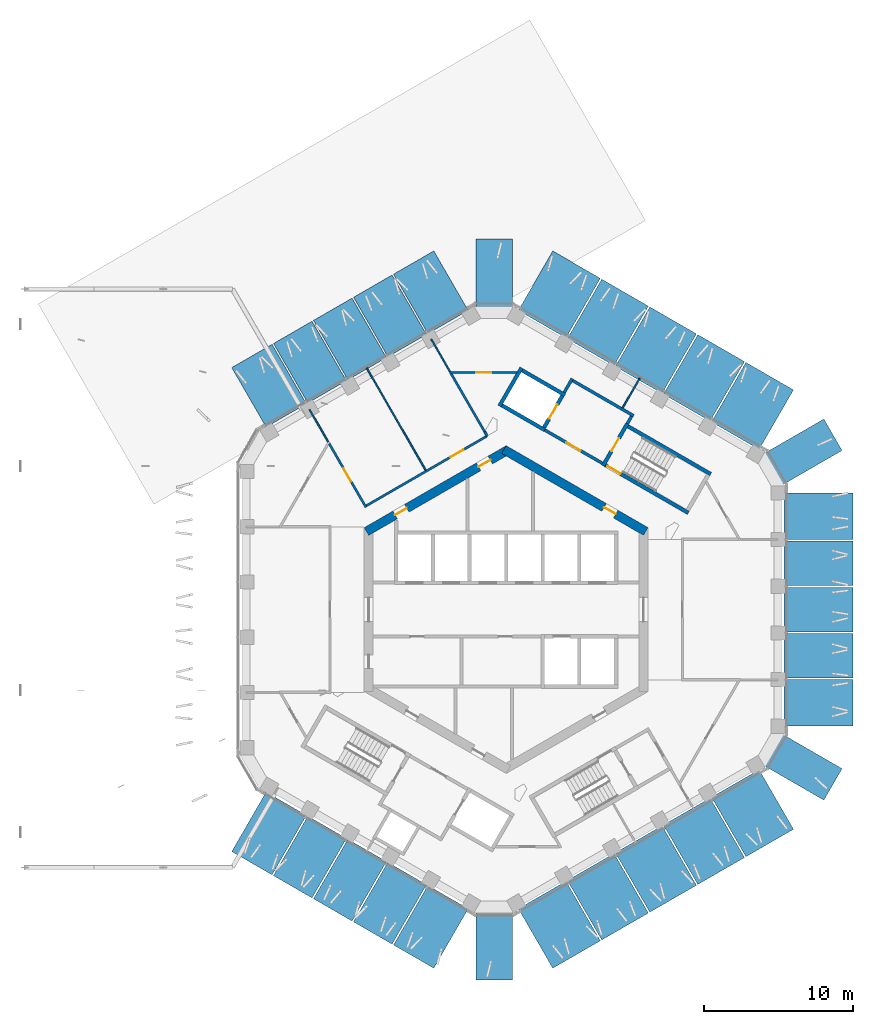
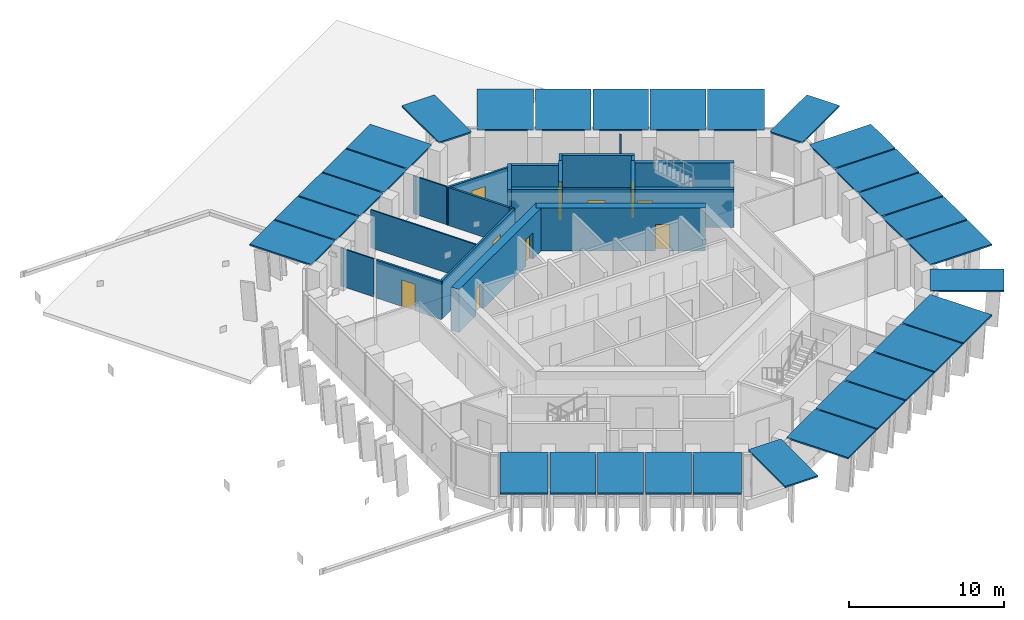
# One storey, part 15 of 23: 29 discrete accessories, 22 walls, 10 doors, 10 openings.
"""IFC4 building model written with IfcOpenShell, lengths in metres."""

from ifc_helpers import new_model, si_unit, direction, frame, frame_2d, origin, origin_2d, place, context, subcontext, project, spatial, rectangle, extrude, material, layer, layer_set, type_object, element, fill, save


model = new_model("IFC4")

# Units and contexts
model_context = context("Model", 3, precision=1e-05, world=origin(), true_north=direction((0.0, 1.0)))
body_context = subcontext(model_context, "Body", "Model", "MODEL_VIEW")
ifc_project = project(units=[si_unit("LENGTHUNIT", "METRE"), si_unit("AREAUNIT", "SQUARE_METRE"), si_unit("VOLUMEUNIT", "CUBIC_METRE"), si_unit("PLANEANGLEUNIT", "RADIAN"), si_unit("MASSUNIT", "GRAM", prefix="KILO")], contexts=[model_context])

# Site, building, storey
site_placement = place(None, origin())
site = spatial("IfcSite", under=ifc_project, at=site_placement, CompositionType="ELEMENT")
building_placement = place(site_placement, origin())
building = spatial("IfcBuilding", under=site, at=building_placement, Name="Ayvan Gate Tower", CompositionType="ELEMENT")
storey_placement = place(building_placement, frame((0.0, 0.0, 198.699951171875)))
storey = spatial("IfcBuildingStorey", under=building, at=storey_placement, Name="L53", CompositionType="ELEMENT", Elevation=198.699951171875)

# Wall, opening, door
ifc_material_1 = material(Name="Concrete C60/75", Category="concrete")
ifc_layer_1 = layer(ifc_material_1, 0.60009765625)
ifc_layer_set_1 = layer_set([ifc_layer_1], Name="Concrete C60/75")
wall_type_1 = type_object("IfcWallType", Name="Core wall 600 C60/75", PredefinedType="SHEAR", material=ifc_layer_set_1)
wall_1_placement = place(storey_placement, frame((9.35009765625, 5.22509765625, 0.0), z_axis=(0.0, 0.0, 1.0), x_axis=(-0.866023993627, 0.500002442456, 0.0)))
wall_1 = element("IfcWall", 1, at=wall_1_placement, inside=storey, type_object=wall_type_1, Name="CORE-L53-1", PredefinedType="SHEAR", context=body_context, shape_type="SweptSolid", body=[
    extrude(rectangle(XDim=10.9697265625, YDim=0.60009765625, at=frame_2d((5.48486328125, 0.0))), origin(), (0.0, 0.0, 1.0), 3.400146484375),
])
opening_1_placement = place(wall_1_placement, frame((2.326416015625, 0.0, 0.0)))
opening_1 = element("IfcOpeningElement", 2, at=opening_1_placement, cuts=wall_1, Name="Opening L53-D34", PredefinedType="OPENING", context=body_context, shape_type="SweptSolid", body=[
    extrude(rectangle(XDim=0.89990234375, YDim=2.10009765625, at=frame_2d((0.449951171875, 1.050048828125))), frame((0.0, 0.31005859375, 0.0), z_axis=(0.0, -1.0, 0.0), x_axis=(1.0, 0.0, 0.0)), (0.0, 0.0, 1.0), 0.6201171875),
])
ifc_material_2 = material(Name="Timber door leaf", Category="wood")
door_type_1 = type_object("IfcDoorType", Name="DT-900", OperationType="NOTDEFINED", PredefinedType="DOOR", material=ifc_material_2)
door_1_placement = place(opening_1_placement, origin())
door_1 = element("IfcDoor", 3, at=door_1_placement, inside=storey, type_object=door_type_1, Name="CD-L53-34", OperationType="SINGLE_SWING_LEFT", OverallHeight=2.10009765625, OverallWidth=0.89990234375, PredefinedType="DOOR", context=body_context, shape_type="SweptSolid", body=[
    extrude(rectangle(XDim=0.89990234375, YDim=2.10009765625, at=frame_2d((0.449951171875, 1.050048828125))), frame((0.0, 0.02490234375, 0.0), z_axis=(0.0, -1.0, 0.0), x_axis=(1.0, 0.0, 0.0)), (0.0, 0.0, 1.0), 0.050048828125),
])
fill(opening_1, door_1)

# Wall, openings, doors
wall_2_placement = place(storey_placement, frame((0.14990234375, 10.7099609375, 0.0), z_axis=(0.0, 0.0, 1.0), x_axis=(-0.866023993627, -0.500002442456, 0.0)))
wall_2 = element("IfcWall", 4, at=wall_2_placement, inside=storey, type_object=wall_type_1, Name="CORE-L53-2", PredefinedType="SHEAR", context=body_context, shape_type="SweptSolid", body=[
    extrude(rectangle(XDim=10.9697265625, YDim=0.60009765625, at=frame_2d((5.48486328125, 0.0))), origin(), (0.0, 0.0, 1.0), 3.400146484375),
])
opening_2_placement = place(wall_2_placement, frame((7.85498046875, 0.0, 0.0)))
opening_2 = element("IfcOpeningElement", 5, at=opening_2_placement, cuts=wall_2, Name="Opening L53-D32", PredefinedType="OPENING", context=body_context, shape_type="SweptSolid", body=[
    extrude(rectangle(XDim=0.89990234375, YDim=2.10009765625, at=frame_2d((0.449951171875, 1.050048828125))), frame((0.0, 0.31005859375, 0.0), z_axis=(0.0, -1.0, 0.0), x_axis=(1.0, 0.0, 0.0)), (0.0, 0.0, 1.0), 0.6201171875),
])
opening_3_placement = place(wall_2_placement, frame((1.398193359375, 0.0, 0.0)))
opening_3 = element("IfcOpeningElement", 6, at=opening_3_placement, cuts=wall_2, Name="Opening L53-D33", PredefinedType="OPENING", context=body_context, shape_type="SweptSolid", body=[
    extrude(rectangle(XDim=0.89990234375, YDim=2.10009765625, at=frame_2d((0.449951171875, 1.050048828125))), frame((0.0, 0.31005859375, 0.0), z_axis=(0.0, -1.0, 0.0), x_axis=(1.0, 0.0, 0.0)), (0.0, 0.0, 1.0), 0.6201171875),
])
door_2_placement = place(opening_2_placement, origin())
door_2 = element("IfcDoor", 7, at=door_2_placement, inside=storey, type_object=door_type_1, Name="CD-L53-32", OperationType="SINGLE_SWING_LEFT", OverallHeight=2.10009765625, OverallWidth=0.89990234375, PredefinedType="DOOR", context=body_context, shape_type="SweptSolid", body=[
    extrude(rectangle(XDim=0.89990234375, YDim=2.10009765625, at=frame_2d((0.449951171875, 1.050048828125))), frame((0.0, 0.02490234375, 0.0), z_axis=(0.0, -1.0, 0.0), x_axis=(1.0, 0.0, 0.0)), (0.0, 0.0, 1.0), 0.050048828125),
])
fill(opening_2, door_2)
door_3_placement = place(opening_3_placement, origin())
door_3 = element("IfcDoor", 8, at=door_3_placement, inside=storey, type_object=door_type_1, Name="CD-L53-33", OperationType="SINGLE_SWING_RIGHT", OverallHeight=2.10009765625, OverallWidth=0.89990234375, PredefinedType="DOOR", context=body_context, shape_type="SweptSolid", body=[
    extrude(rectangle(XDim=0.89990234375, YDim=2.10009765625, at=frame_2d((0.449951171875, 1.050048828125))), frame((0.0, 0.02490234375, 0.0), z_axis=(0.0, -1.0, 0.0), x_axis=(1.0, 0.0, 0.0)), (0.0, 0.0, 1.0), 0.050048828125),
])
fill(opening_3, door_3)

# Wall, opening, door
ifc_material_3 = material(Name="Plasterboard on steel stud", Category="steel")
ifc_layer_2 = layer(ifc_material_3, 0.14990234375)
ifc_layer_set_2 = layer_set([ifc_layer_2], Name="Plasterboard on steel stud")
wall_type_2 = type_object("IfcWallType", Name="WT-CORR-150", PredefinedType="PARTITIONING", material=ifc_layer_set_2)
wall_3_placement = place(storey_placement, frame((-11.842529296875, 11.102783203125, 0.0), z_axis=(0.0, 0.0, 1.0), x_axis=(0.500015046984, -0.86601671623, 0.0)))
wall_3 = element("IfcWall", 9, at=wall_3_placement, inside=storey, type_object=wall_type_2, Name="IW-L53-008", PredefinedType="PARTITIONING", context=body_context, shape_type="SweptSolid", body=[
    extrude(rectangle(XDim=4.911376953125, YDim=0.14990234375, at=frame_2d((2.45556640625, 0.0))), origin(), (0.0, 0.0, 1.0), 3.0),
])
opening_4_placement = place(wall_3_placement, frame((1.918212890625, 0.0, 0.0)))
opening_4 = element("IfcOpeningElement", 10, at=opening_4_placement, cuts=wall_3, Name="Opening L53-D31", PredefinedType="OPENING", context=body_context, shape_type="SweptSolid", body=[
    extrude(rectangle(XDim=1.0, YDim=2.10009765625, at=frame_2d((0.5, 1.050048828125))), frame((0.0, 0.0849609375, 0.0), z_axis=(0.0, -1.0, 0.0), x_axis=(1.0, 0.0, 0.0)), (0.0, 0.0, 1.0), 0.169921875),
])
door_type_2 = type_object("IfcDoorType", Name="DT-1000", OperationType="NOTDEFINED", PredefinedType="DOOR", material=ifc_material_2)
door_4_placement = place(opening_4_placement, origin())
door_4 = element("IfcDoor", 11, at=door_4_placement, inside=storey, type_object=door_type_2, Name="ID-L53-031", OperationType="SINGLE_SWING_RIGHT", OverallHeight=2.10009765625, OverallWidth=1.0, PredefinedType="DOOR", context=body_context, shape_type="SweptSolid", body=[
    extrude(rectangle(XDim=1.0, YDim=2.10009765625, at=frame_2d((0.5, 1.050048828125))), frame((0.0, 0.02490234375, 0.0), z_axis=(0.0, -1.0, 0.0), x_axis=(1.0, 0.0, 0.0)), (0.0, 0.0, 1.0), 0.050048828125),
])
fill(opening_4, door_4)

wall_4_placement = place(storey_placement, frame((-9.359130859375, 6.95166015625, 0.0), z_axis=(0.0, 0.0, 1.0), x_axis=(0.866014841347, 0.500018294232, 0.0)))
wall_4 = element("IfcWall", 12, at=wall_4_placement, inside=storey, type_object=wall_type_2, Name="IW-L53-011", PredefinedType="PARTITIONING", context=body_context, shape_type="SweptSolid", body=[
    extrude(rectangle(XDim=9.334228515625, YDim=0.14990234375, at=frame_2d((4.6669921875, 0.0))), origin(), (0.0, 0.0, 1.0), 3.0),
])
opening_5_placement = place(wall_4_placement, frame((6.49658203125, 0.0, 0.0)))
opening_5 = element("IfcOpeningElement", 13, at=opening_5_placement, cuts=wall_4, Name="Opening L53-D30", PredefinedType="OPENING", context=body_context, shape_type="SweptSolid", body=[
    extrude(rectangle(XDim=1.0, YDim=2.10009765625, at=frame_2d((0.5, 1.050048828125))), frame((0.0, 0.0849609375, 0.0), z_axis=(0.0, -1.0, 0.0), x_axis=(1.0, 0.0, 0.0)), (0.0, 0.0, 1.0), 0.169921875),
])
door_5_placement = place(opening_5_placement, origin())
door_5 = element("IfcDoor", 14, at=door_5_placement, inside=storey, type_object=door_type_2, Name="ID-L53-030", OperationType="SINGLE_SWING_LEFT", OverallHeight=2.10009765625, OverallWidth=1.0, PredefinedType="DOOR", context=body_context, shape_type="SweptSolid", body=[
    extrude(rectangle(XDim=1.0, YDim=2.10009765625, at=frame_2d((0.5, 1.050048828125))), frame((0.0, 0.02490234375, 0.0), z_axis=(0.0, -1.0, 0.0), x_axis=(1.0, 0.0, 0.0)), (0.0, 0.0, 1.0), 0.050048828125),
])
fill(opening_5, door_5)

wall_5_placement = place(storey_placement, frame((-3.806640625, 15.872314453125, 0.0), z_axis=(0.0, 0.0, 1.0), x_axis=(1.0, 0.0, 0.0)))
wall_5 = element("IfcWall", 15, at=wall_5_placement, inside=storey, type_object=wall_type_2, Name="IW-L53-032", PredefinedType="PARTITIONING", context=body_context, shape_type="SweptSolid", body=[
    extrude(rectangle(XDim=4.53173828125, YDim=0.14990234375, at=frame_2d((2.265869140625, 0.0))), origin(), (0.0, 0.0, 1.0), 3.0),
])
opening_6_placement = place(wall_5_placement, frame((1.82080078125, 0.0, 0.0)))
opening_6 = element("IfcOpeningElement", 16, at=opening_6_placement, cuts=wall_5, Name="Opening L53-D23", PredefinedType="OPENING", context=body_context, shape_type="SweptSolid", body=[
    extrude(rectangle(XDim=1.0, YDim=2.10009765625, at=frame_2d((0.5, 1.050048828125))), frame((0.0, 0.0849609375, 0.0), z_axis=(0.0, -1.0, 0.0), x_axis=(1.0, 0.0, 0.0)), (0.0, 0.0, 1.0), 0.169921875),
])
door_6_placement = place(opening_6_placement, origin())
door_6 = element("IfcDoor", 17, at=door_6_placement, inside=storey, type_object=door_type_2, Name="ID-L53-023", OperationType="SINGLE_SWING_RIGHT", OverallHeight=2.10009765625, OverallWidth=1.0, PredefinedType="DOOR", context=body_context, shape_type="SweptSolid", body=[
    extrude(rectangle(XDim=1.0, YDim=2.10009765625, at=frame_2d((0.5, 1.050048828125))), frame((0.0, 0.02490234375, 0.0), z_axis=(0.0, -1.0, 0.0), x_axis=(1.0, 0.0, 0.0)), (0.0, 0.0, 1.0), 0.050048828125),
])
fill(opening_6, door_6)

# Walls
wall_6_placement = place(storey_placement, frame((-1.44091796875, 11.904541015625, 0.0), z_axis=(0.0, 0.0, 1.0), x_axis=(-0.49997881468, 0.866037634789, 0.0)))
element("IfcWall", 18, at=wall_6_placement, inside=storey, type_object=wall_type_2, Name="IW-L53-040", PredefinedType="PARTITIONING", context=body_context, shape_type="SweptSolid", body=[
    extrude(rectangle(XDim=4.506591796875, YDim=0.14990234375, at=frame_2d((2.25341796875, 0.0))), origin(), (0.0, 0.0, 1.0), 3.0),
])
wall_7_placement = place(storey_placement, frame((-1.430908203125, 11.88720703125, 0.0), z_axis=(0.0, 0.0, 1.0), x_axis=(0.499941024108, -0.866059450854, 0.0)))
element("IfcWall", 19, at=wall_7_placement, inside=storey, type_object=wall_type_2, Name="IW-L53-041", PredefinedType="PARTITIONING", context=body_context, shape_type="SweptSolid", body=[
    extrude(rectangle(XDim=0.2900390625, YDim=0.14990234375, at=frame_2d((0.14501953125, 0.0))), origin(), (0.0, 0.0, 1.0), 3.0),
])
ifc_layer_3 = layer(ifc_material_3, 0.10009765625)
ifc_layer_set_3 = layer_set([ifc_layer_3], Name="Plasterboard on steel stud")
wall_type_3 = type_object("IfcWallType", Name="WT-PART-100", PredefinedType="PARTITIONING", material=ifc_layer_set_3)
wall_8_placement = place(storey_placement, frame((-13.16748046875, 13.397705078125, 0.0), z_axis=(0.0, 0.0, 1.0), x_axis=(0.500046524342, -0.865998541277, 0.0)))
element("IfcWall", 20, at=wall_8_placement, inside=storey, type_object=wall_type_3, Name="IW-L53-006", PredefinedType="PARTITIONING", context=body_context, shape_type="SweptSolid", body=[
    extrude(rectangle(XDim=2.499755859375, YDim=0.10009765625, at=frame_2d((1.25, 0.0))), origin(), (0.0, 0.0, 1.0), 3.0),
])
wall_9_placement = place(storey_placement, frame((-5.387451171875, 9.331298828125, 0.0), z_axis=(0.0, 0.0, 1.0), x_axis=(-0.500003060896, 0.866023636568, 0.0)))
element("IfcWall", 21, at=wall_9_placement, inside=storey, type_object=wall_type_3, Name="IW-L53-027", PredefinedType="PARTITIONING", context=body_context, shape_type="SweptSolid", body=[
    extrude(rectangle(XDim=7.8828125, YDim=0.10009765625, at=frame_2d((3.94140625, 0.0))), origin(), (0.0, 0.0, 1.0), 3.0),
])
wall_10_placement = place(storey_placement, frame((-3.76904296875, 15.937255859375, 0.0), z_axis=(0.0, 0.0, 1.0), x_axis=(-0.500004234368, 0.866022959057, 0.0)))
element("IfcWall", 22, at=wall_10_placement, inside=storey, type_object=wall_type_3, Name="IW-L53-031", PredefinedType="PARTITIONING", context=body_context, shape_type="SweptSolid", body=[
    extrude(rectangle(XDim=2.5, YDim=0.10009765625, at=frame_2d((1.25, 0.0))), origin(), (0.0, 0.0, 1.0), 3.0),
])
wall_11_placement = place(storey_placement, frame((7.800048828125, 13.510009765625, 0.0), z_axis=(0.0, 0.0, 1.0), x_axis=(0.499994306202, 0.866028691075, 0.0)))
element("IfcWall", 23, at=wall_11_placement, inside=storey, type_object=wall_type_3, Name="IW-L53-072", PredefinedType="PARTITIONING", context=body_context, shape_type="SweptSolid", body=[
    extrude(rectangle(XDim=2.25439453125, YDim=0.10009765625, at=frame_2d((1.127197265625, 0.0))), origin(), (0.0, 0.0, 1.0), 3.0),
])
ifc_layer_4 = layer(ifc_material_3, 0.199951171875)
ifc_layer_set_4 = layer_set([ifc_layer_4], Name="Plasterboard on steel stud")
wall_type_4 = type_object("IfcWallType", Name="WT-RATED-200", PredefinedType="PARTITIONING", material=ifc_layer_set_4)
wall_12_placement = place(storey_placement, frame((3.885009765625, 14.52880859375, 0.0), z_axis=(0.0, 0.0, 1.0), x_axis=(0.499997628298, 0.866026773083, 0.0)))
element("IfcWall", 24, at=wall_12_placement, inside=storey, type_object=wall_type_4, Name="IW-L53-057", PredefinedType="PARTITIONING", context=body_context, shape_type="SweptSolid", body=[
    extrude(rectangle(XDim=1.0751953125, YDim=0.199951171875, at=frame_2d((0.53759765625, 0.0))), origin(), (0.0, 0.0, 1.0), 3.0),
])
wall_13_placement = place(storey_placement, frame((4.458984375, 15.323486328125, 0.0), z_axis=(0.0, 0.0, 1.0), x_axis=(0.866016039709, -0.500016218704, 0.0)))
element("IfcWall", 25, at=wall_13_placement, inside=storey, type_object=wall_type_4, Name="IW-L53-058", PredefinedType="PARTITIONING", context=body_context, shape_type="SweptSolid", body=[
    extrude(rectangle(XDim=4.699951171875, YDim=0.199951171875, at=frame_2d((2.35009765625, 0.0))), origin(), (0.0, 0.0, 1.0), 3.0),
])

# Wall, opening, door
wall_14_placement = place(storey_placement, frame((6.4345703125, 9.794921875, 0.0), z_axis=(0.0, 0.0, 1.0), x_axis=(-0.866012907634, 0.500021643343, 0.0)))
wall_14 = element("IfcWall", 26, at=wall_14_placement, inside=storey, type_object=wall_type_4, Name="IW-L53-063", PredefinedType="PARTITIONING", context=body_context, shape_type="SweptSolid", body=[
    extrude(rectangle(XDim=4.449951171875, YDim=0.199951171875, at=frame_2d((2.22509765625, 0.0))), origin(), (0.0, 0.0, 1.0), 3.0),
])
opening_7_placement = place(wall_14_placement, frame((1.675048828125, 0.0, 0.0)))
opening_7 = element("IfcOpeningElement", 27, at=opening_7_placement, cuts=wall_14, Name="Opening L53-D12", PredefinedType="OPENING", context=body_context, shape_type="SweptSolid", body=[
    extrude(rectangle(XDim=1.10009765625, YDim=2.10009765625, at=frame_2d((0.550048828125, 1.050048828125))), frame((0.0, 0.10986328125, 0.0), z_axis=(0.0, -1.0, 0.0), x_axis=(1.0, 0.0, 0.0)), (0.0, 0.0, 1.0), 0.219970703125),
])
door_type_3 = type_object("IfcDoorType", Name="DT-1100", OperationType="NOTDEFINED", PredefinedType="DOOR", material=ifc_material_2)
door_7_placement = place(opening_7_placement, origin())
door_7 = element("IfcDoor", 28, at=door_7_placement, inside=storey, type_object=door_type_3, Name="ID-L53-012", OperationType="SINGLE_SWING_LEFT", OverallHeight=2.10009765625, OverallWidth=1.10009765625, PredefinedType="DOOR", context=body_context, shape_type="SweptSolid", body=[
    extrude(rectangle(XDim=1.10009765625, YDim=2.10009765625, at=frame_2d((0.550048828125, 1.050048828125))), frame((0.0, 0.02490234375, 0.0), z_axis=(0.0, -1.0, 0.0), x_axis=(1.0, 0.0, 0.0)), (0.0, 0.0, 1.0), 0.050048828125),
])
fill(opening_7, door_7)

# Walls
wall_15_placement = place(storey_placement, frame((8.392822265625, 12.936767578125, 0.0), z_axis=(0.0, 0.0, 1.0), x_axis=(-0.500065409566, -0.86598763626, 0.0)))
element("IfcWall", 29, at=wall_15_placement, inside=storey, type_object=wall_type_4, Name="IW-L53-074", PredefinedType="PARTITIONING", context=body_context, shape_type="SweptSolid", body=[
    extrude(rectangle(XDim=0.5751953125, YDim=0.199951171875, at=frame_2d((0.28759765625, 0.0))), origin(), (0.0, 0.0, 1.0), 3.0),
])
ifc_material_4 = material(Name="Concrete C50/60", Category="concrete")
ifc_layer_5 = layer(ifc_material_4, 0.25)
ifc_layer_set_5 = layer_set([ifc_layer_5], Name="Concrete C50/60")
wall_type_5 = type_object("IfcWallType", Name="WT-RC-250", PredefinedType="SHEAR", material=ifc_layer_set_5)
wall_16_placement = place(storey_placement, frame((-0.447998046875, 13.624267578125, 0.0), z_axis=(0.0, 0.0, 1.0), x_axis=(0.500037662692, 0.866003658127, 0.0)))
element("IfcWall", 30, at=wall_16_placement, inside=storey, type_object=wall_type_5, Name="IW-L53-044", PredefinedType="SHEAR", context=body_context, shape_type="SweptSolid", body=[
    extrude(rectangle(XDim=2.949951171875, YDim=0.25, at=frame_2d((1.47509765625, 0.0))), origin(), (0.0, 0.0, 1.0), 3.0),
])
for number, where, z_axis, x_axis, name in (
    (31, (1.072998046875, 16.00830078125, 0.0), (0.0, 0.0, 1.0), (0.866040211805, -0.499974350878, 0.0), "IW-L53-047"),
    (32, (2.580810546875, 12.02001953125, 0.0), (0.0, 0.0, 1.0), (-0.866040211805, 0.499974350878, 0.0), "IW-L53-052"),
):
    element("IfcWall", number, at=place(storey_placement, frame(where, z_axis=z_axis, x_axis=x_axis)), inside=storey, type_object=wall_type_5, Name=name, PredefinedType="SHEAR", context=body_context, shape_type="SweptSolid", body=[
        extrude(rectangle(XDim=3.300048828125, YDim=0.25, at=frame_2d((1.64990234375, 0.0))), origin(), (0.0, 0.0, 1.0), 3.0),
    ])

# Wall, opening, door
wall_17_placement = place(storey_placement, frame((2.534912109375, 12.19091796875, 0.0), z_axis=(0.0, 0.0, 1.0), x_axis=(0.500061746146, 0.865989751695, 0.0)))
wall_17 = element("IfcWall", 33, at=wall_17_placement, inside=storey, type_object=wall_type_5, Name="IW-L53-053", PredefinedType="SHEAR", context=body_context, shape_type="SweptSolid", body=[
    extrude(rectangle(XDim=2.449951171875, YDim=0.25, at=frame_2d((1.22509765625, 0.0))), origin(), (0.0, 0.0, 1.0), 3.400146484375),
])
opening_8_placement = place(wall_17_placement, frame((0.675048828125, 0.0, 0.0)))
opening_8 = element("IfcOpeningElement", 34, at=opening_8_placement, cuts=wall_17, Name="Opening L53-LD-FF1", PredefinedType="OPENING", context=body_context, shape_type="SweptSolid", body=[
    extrude(rectangle(XDim=1.10009765625, YDim=2.10009765625, at=frame_2d((0.550048828125, 1.050048828125))), frame((0.0, 0.135009765625, 0.0), z_axis=(0.0, -1.0, 0.0), x_axis=(1.0, 0.0, 0.0)), (0.0, 0.0, 1.0), 0.27001953125),
])
ifc_material_5 = material(Name="Stainless steel landing door", Category="steel")
door_type_4 = type_object("IfcDoorType", Name="DT-LANDING-1100", OperationType="SLIDING_TO_LEFT", PredefinedType="DOOR", material=ifc_material_5)
door_8_placement = place(opening_8_placement, origin())
door_8 = element("IfcDoor", 35, at=door_8_placement, inside=storey, type_object=door_type_4, Name="ID-L53-013", OperationType="SLIDING_TO_LEFT", OverallHeight=2.10009765625, OverallWidth=1.10009765625, PredefinedType="DOOR", context=body_context, shape_type="SweptSolid", body=[
    extrude(rectangle(XDim=1.10009765625, YDim=2.10009765625, at=frame_2d((0.550048828125, 1.050048828125))), frame((0.0, 0.02490234375, 0.0), z_axis=(0.0, -1.0, 0.0), x_axis=(1.0, 0.0, 0.0)), (0.0, 0.0, 1.0), 0.050048828125),
])
fill(opening_8, door_8)

wall_18_placement = place(storey_placement, frame((6.480224609375, 9.624267578125, 0.0), z_axis=(0.0, 0.0, 1.0), x_axis=(0.500017246033, 0.866015446554, 0.0)))
wall_18 = element("IfcWall", 36, at=wall_18_placement, inside=storey, type_object=wall_type_5, Name="IW-L53-064", PredefinedType="SHEAR", context=body_context, shape_type="SweptSolid", body=[
    extrude(rectangle(XDim=3.25, YDim=0.25, at=frame_2d((1.625, 0.0))), origin(), (0.0, 0.0, 1.0), 3.0),
])
opening_9_placement = place(wall_18_placement, frame((1.125, 0.0, 0.0)))
opening_9 = element("IfcOpeningElement", 37, at=opening_9_placement, cuts=wall_18, Name="Opening L53-D11", PredefinedType="OPENING", context=body_context, shape_type="SweptSolid", body=[
    extrude(rectangle(XDim=1.0, YDim=2.10009765625, at=frame_2d((0.5, 1.050048828125))), frame((0.0, 0.135009765625, 0.0), z_axis=(0.0, -1.0, 0.0), x_axis=(1.0, 0.0, 0.0)), (0.0, 0.0, 1.0), 0.27001953125),
])
door_9_placement = place(opening_9_placement, origin())
door_9 = element("IfcDoor", 38, at=door_9_placement, inside=storey, type_object=door_type_2, Name="ID-L53-011", OperationType="SINGLE_SWING_RIGHT", OverallHeight=2.10009765625, OverallWidth=1.0, PredefinedType="DOOR", context=body_context, shape_type="SweptSolid", body=[
    extrude(rectangle(XDim=1.0, YDim=2.10009765625, at=frame_2d((0.5, 1.050048828125))), frame((0.0, 0.02490234375, 0.0), z_axis=(0.0, -1.0, 0.0), x_axis=(1.0, 0.0, 0.0)), (0.0, 0.0, 1.0), 0.050048828125),
])
fill(opening_9, door_9)

# Wall
wall_19_placement = place(storey_placement, frame((8.151123046875, 12.26806640625, 0.0), z_axis=(0.0, 0.0, 1.0), x_axis=(0.866025499775, -0.499999833739, 0.0)))
element("IfcWall", 39, at=wall_19_placement, inside=storey, type_object=wall_type_5, Name="IW-L53-073", PredefinedType="SHEAR", context=body_context, shape_type="SweptSolid", body=[
    extrude(rectangle(XDim=6.39990234375, YDim=0.25, at=frame_2d((3.199951171875, 0.0))), origin(), (0.0, 0.0, 1.0), 3.0),
])

# Wall, opening, door
wall_20_placement = place(storey_placement, frame((12.193603515625, 6.469970703125, 0.0), z_axis=(0.0, 0.0, 1.0), x_axis=(-0.866025499775, 0.499999833739, 0.0)))
wall_20 = element("IfcWall", 40, at=wall_20_placement, inside=storey, type_object=wall_type_5, Name="IW-L53-081", PredefinedType="SHEAR", context=body_context, shape_type="SweptSolid", body=[
    extrude(rectangle(XDim=6.39990234375, YDim=0.25, at=frame_2d((3.199951171875, 0.0))), origin(), (0.0, 0.0, 1.0), 3.0),
])
opening_10_placement = place(wall_20_placement, frame((5.25, 0.0, 0.0)))
opening_10 = element("IfcOpeningElement", 41, at=opening_10_placement, cuts=wall_20, Name="Opening L53-D10", PredefinedType="OPENING", context=body_context, shape_type="SweptSolid", body=[
    extrude(rectangle(XDim=1.0, YDim=2.10009765625, at=frame_2d((0.5, 1.050048828125))), frame((0.0, 0.135009765625, 0.0), z_axis=(0.0, -1.0, 0.0), x_axis=(1.0, 0.0, 0.0)), (0.0, 0.0, 1.0), 0.27001953125),
])
door_10_placement = place(opening_10_placement, origin())
door_10 = element("IfcDoor", 42, at=door_10_placement, inside=storey, type_object=door_type_2, Name="ID-L53-010", OperationType="SINGLE_SWING_LEFT", OverallHeight=2.10009765625, OverallWidth=1.0, PredefinedType="DOOR", context=body_context, shape_type="SweptSolid", body=[
    extrude(rectangle(XDim=1.0, YDim=2.10009765625, at=frame_2d((0.5, 1.050048828125))), frame((0.0, 0.02490234375, 0.0), z_axis=(0.0, -1.0, 0.0), x_axis=(1.0, 0.0, 0.0)), (0.0, 0.0, 1.0), 0.050048828125),
])
fill(opening_10, door_10)

# Discrete accessories
ifc_material_6 = material(Name="Stainless steel 316", Category="steel")
ifc_layer_6 = layer(ifc_material_6, 0.1201171875)
ifc_layer_set_6 = layer_set([ifc_layer_6], Name="Stainless steel 316")
discrete_accessory_type = type_object("IfcDiscreteAccessoryType", Name="Fin carrier bracket", PredefinedType="BRACKET", material=ifc_layer_set_6)
discrete_accessory_1_placement = place(storey_placement, frame((-15.870361328125, -14.984130859375, 3.280029296875), z_axis=(0.0, 0.0, 1.0), x_axis=(0.866025403784, -0.5, 0.0)))
element("IfcDiscreteAccessory", 43, at=discrete_accessory_1_placement, inside=storey, type_object=discrete_accessory_type, Name="Fin carrier 226", PredefinedType="BRACKET", context=body_context, shape_type="SweptSolid", body=[
    extrude(rectangle(XDim=3.114990234375, YDim=4.6005859375, at=origin_2d()), origin(), (0.0, 0.0, 1.0), 0.1201171875),
])
discrete_accessory_2_placement = place(storey_placement, frame((-15.870361328125, 14.984130859375, 3.280029296875), z_axis=(0.0, 0.0, 1.0), x_axis=(-0.866025403784, -0.5, 0.0)))
element("IfcDiscreteAccessory", 44, at=discrete_accessory_2_placement, inside=storey, type_object=discrete_accessory_type, Name="Fin carrier 247", PredefinedType="BRACKET", context=body_context, shape_type="SweptSolid", body=[
    extrude(rectangle(XDim=3.11474609375, YDim=4.6005859375, at=origin_2d()), origin(), (0.0, 0.0, 1.0), 0.1201171875),
])
for number, where, z_axis, x_axis, name in (
    (45, (-13.134521484375, -16.563720703125, 3.280029296875), (0.0, 0.0, 1.0), (0.866025403784, -0.5, 0.0), "Fin carrier 287"),
    (46, (-13.134521484375, 16.563720703125, 3.280029296875), (0.0, 0.0, 1.0), (-0.866025403784, -0.5, 0.0), "Fin carrier 307"),
    (47, (-10.455810546875, -18.110107421875, 3.280029296875), (0.0, 0.0, 1.0), (0.866025403784, -0.5, 0.0), "Fin carrier 344"),
    (48, (-10.4560546875, 18.110107421875, 3.280029296875), (0.0, 0.0, 1.0), (-0.866025403784, -0.5, 0.0), "Fin carrier 354"),
    (49, (-7.77734375, -19.65673828125, 3.280029296875), (0.0, 0.0, 1.0), (0.866025403784, -0.5, 0.0), "Fin carrier 396"),
    (50, (-7.77734375, 19.65673828125, 3.280029296875), (0.0, 0.0, 1.0), (-0.866025403784, -0.5, 0.0), "Fin carrier 399"),
):
    element("IfcDiscreteAccessory", number, at=place(storey_placement, frame(where, z_axis=z_axis, x_axis=x_axis)), inside=storey, type_object=discrete_accessory_type, Name=name, PredefinedType="BRACKET", context=body_context, shape_type="SweptSolid", body=[
        extrude(rectangle(XDim=2.98291015625, YDim=4.6005859375, at=origin_2d()), origin(), (0.0, 0.0, 1.0), 0.1201171875),
    ])
discrete_accessory_3_placement = place(storey_placement, frame((-5.04150390625, -21.236083984375, 3.280029296875), z_axis=(0.0, 0.0, 1.0), x_axis=(0.866025403784, -0.5, 0.0)))
element("IfcDiscreteAccessory", 51, at=discrete_accessory_3_placement, inside=storey, type_object=discrete_accessory_type, Name="Fin carrier 452", PredefinedType="BRACKET", context=body_context, shape_type="SweptSolid", body=[
    extrude(rectangle(XDim=3.11474609375, YDim=4.6005859375, at=origin_2d()), origin(), (0.0, 0.0, 1.0), 0.1201171875),
])
discrete_accessory_4_placement = place(storey_placement, frame((-5.04150390625, 21.236083984375, 3.280029296875), z_axis=(0.0, 0.0, 1.0), x_axis=(-0.866025403784, -0.5, 0.0)))
element("IfcDiscreteAccessory", 52, at=discrete_accessory_4_placement, inside=storey, type_object=discrete_accessory_type, Name="Fin carrier 454", PredefinedType="BRACKET", context=body_context, shape_type="SweptSolid", body=[
    extrude(rectangle(XDim=3.114990234375, YDim=4.6005859375, at=origin_2d()), origin(), (0.0, 0.0, 1.0), 0.1201171875),
])
for number, where, z_axis, x_axis, name in (
    (53, (-0.802978515625, -22.4013671875, 3.280029296875), (0.0, 0.0, 1.0), (1.0, 0.0, 0.0), "Fin carrier 505"),
    (54, (-0.802978515625, 22.4013671875, 3.280029296875), (0.0, 0.0, 1.0), (-1.0, 0.0, 0.0), "Fin carrier 507"),
):
    element("IfcDiscreteAccessory", number, at=place(storey_placement, frame(where, z_axis=z_axis, x_axis=x_axis)), inside=storey, type_object=discrete_accessory_type, Name=name, PredefinedType="BRACKET", context=body_context, shape_type="SweptSolid", body=[
        extrude(rectangle(XDim=2.4345703125, YDim=4.7861328125, at=origin_2d()), origin(), (0.0, 0.0, 1.0), 0.1201171875),
    ])
discrete_accessory_5_placement = place(storey_placement, frame((3.56005859375, -21.095947265625, 3.280029296875), z_axis=(0.0, 0.0, 1.0), x_axis=(0.866025403784, 0.5, 0.0)))
element("IfcDiscreteAccessory", 55, at=discrete_accessory_5_placement, inside=storey, type_object=discrete_accessory_type, Name="Fin carrier 563", PredefinedType="BRACKET", context=body_context, shape_type="SweptSolid", body=[
    extrude(rectangle(XDim=3.676025390625, YDim=4.6005859375, at=origin_2d()), origin(), (0.0, 0.0, 1.0), 0.1201171875),
])
discrete_accessory_6_placement = place(storey_placement, frame((3.559814453125, 21.095947265625, 3.280029296875), z_axis=(0.0, 0.0, 1.0), x_axis=(-0.866025403784, 0.5, 0.0)))
element("IfcDiscreteAccessory", 56, at=discrete_accessory_6_placement, inside=storey, type_object=discrete_accessory_type, Name="Fin carrier 567", PredefinedType="BRACKET", context=body_context, shape_type="SweptSolid", body=[
    extrude(rectangle(XDim=3.67578125, YDim=4.6005859375, at=origin_2d()), origin(), (0.0, 0.0, 1.0), 0.1201171875),
])
for number, where, z_axis, x_axis, name in (
    (57, (6.807861328125, -19.220703125, 3.280029296875), (0.0, 0.0, 1.0), (0.866025403784, 0.5, 0.0), "Fin carrier 628"),
    (58, (6.807861328125, 19.220703125, 3.280029296875), (0.0, 0.0, 1.0), (-0.866025403784, 0.5, 0.0), "Fin carrier 636"),
):
    element("IfcDiscreteAccessory", number, at=place(storey_placement, frame(where, z_axis=z_axis, x_axis=x_axis)), inside=storey, type_object=discrete_accessory_type, Name=name, PredefinedType="BRACKET", context=body_context, shape_type="SweptSolid", body=[
        extrude(rectangle(XDim=3.60498046875, YDim=4.6005859375, at=origin_2d()), origin(), (0.0, 0.0, 1.0), 0.1201171875),
    ])
for number, where, z_axis, x_axis, name in (
    (59, (10.02490234375, -17.36328125, 3.280029296875), (0.0, 0.0, 1.0), (0.866025403784, 0.5, 0.0), "Fin carrier 686"),
    (60, (10.024658203125, 17.363525390625, 3.280029296875), (0.0, 0.0, 1.0), (-0.866025403784, 0.5, 0.0), "Fin carrier 689"),
):
    element("IfcDiscreteAccessory", number, at=place(storey_placement, frame(where, z_axis=z_axis, x_axis=x_axis)), inside=storey, type_object=discrete_accessory_type, Name=name, PredefinedType="BRACKET", context=body_context, shape_type="SweptSolid", body=[
        extrude(rectangle(XDim=3.60400390625, YDim=4.6005859375, at=origin_2d()), origin(), (0.0, 0.0, 1.0), 0.1201171875),
    ])
for number, where, z_axis, x_axis, name in (
    (61, (13.24169921875, -15.506103515625, 3.280029296875), (0.0, 0.0, 1.0), (0.866025403784, 0.5, 0.0), "Fin carrier 729"),
    (62, (13.241455078125, 15.506103515625, 3.280029296875), (0.0, 0.0, 1.0), (-0.866025403784, 0.5, 0.0), "Fin carrier 748"),
):
    element("IfcDiscreteAccessory", number, at=place(storey_placement, frame(where, z_axis=z_axis, x_axis=x_axis)), inside=storey, type_object=discrete_accessory_type, Name=name, PredefinedType="BRACKET", context=body_context, shape_type="SweptSolid", body=[
        extrude(rectangle(XDim=3.60498046875, YDim=4.6005859375, at=origin_2d()), origin(), (0.0, 0.0, 1.0), 0.1201171875),
    ])
discrete_accessory_7_placement = place(storey_placement, frame((16.48974609375, -13.630859375, 3.280029296875), z_axis=(0.0, 0.0, 1.0), x_axis=(0.866025403784, 0.5, 0.0)))
element("IfcDiscreteAccessory", 63, at=discrete_accessory_7_placement, inside=storey, type_object=discrete_accessory_type, Name="Fin carrier 796", PredefinedType="BRACKET", context=body_context, shape_type="SweptSolid", body=[
    extrude(rectangle(XDim=3.67578125, YDim=4.6005859375, at=origin_2d()), origin(), (0.0, 0.0, 1.0), 0.1201171875),
])
discrete_accessory_8_placement = place(storey_placement, frame((16.489501953125, 13.630859375, 3.280029296875), z_axis=(0.0, 0.0, 1.0), x_axis=(-0.866025403784, 0.5, 0.0)))
element("IfcDiscreteAccessory", 64, at=discrete_accessory_8_placement, inside=storey, type_object=discrete_accessory_type, Name="Fin carrier 813", PredefinedType="BRACKET", context=body_context, shape_type="SweptSolid", body=[
    extrude(rectangle(XDim=3.676025390625, YDim=4.6005859375, at=origin_2d()), origin(), (0.0, 0.0, 1.0), 0.1201171875),
])
for number, where, z_axis, x_axis, name in (
    (65, (19.801513671875, -10.50537109375, 3.280029296875), (0.0, 0.0, 1.0), (0.5, 0.866025403784, 0.0), "Fin carrier 898"),
    (66, (19.801513671875, 10.50537109375, 3.280029296875), (0.0, 0.0, 1.0), (-0.5, 0.866025403784, 0.0), "Fin carrier 902"),
):
    element("IfcDiscreteAccessory", number, at=place(storey_placement, frame(where, z_axis=z_axis, x_axis=x_axis)), inside=storey, type_object=discrete_accessory_type, Name=name, PredefinedType="BRACKET", context=body_context, shape_type="SweptSolid", body=[
        extrude(rectangle(XDim=2.4345703125, YDim=4.7861328125, at=origin_2d()), origin(), (0.0, 0.0, 1.0), 0.1201171875),
    ])
discrete_accessory_9_placement = place(storey_placement, frame((20.911865234375, -6.251953125, 3.280029296875), z_axis=(0.0, 0.0, 1.0), x_axis=(0.0, 1.0, 0.0)))
element("IfcDiscreteAccessory", 67, at=discrete_accessory_9_placement, inside=storey, type_object=discrete_accessory_type, Name="Fin carrier 919", PredefinedType="BRACKET", context=body_context, shape_type="SweptSolid", body=[
    extrude(rectangle(XDim=3.114990234375, YDim=4.6005859375, at=origin_2d()), origin(), (0.0, 0.0, 1.0), 0.1201171875),
])
for number, where, z_axis, x_axis, name in (
    (68, (20.911865234375, -3.093017578125, 3.280029296875), (0.0, 0.0, 1.0), (0.0, 1.0, 0.0), "Fin carrier 926"),
    (69, (20.911865234375, 0.0, 3.280029296875), (0.0, 0.0, 1.0), (0.0, 1.0, 0.0), "Fin carrier 933"),
    (70, (20.911865234375, 3.093017578125, 3.280029296875), (0.0, 0.0, 1.0), (0.0, 1.0, 0.0), "Fin carrier 937"),
):
    element("IfcDiscreteAccessory", number, at=place(storey_placement, frame(where, z_axis=z_axis, x_axis=x_axis)), inside=storey, type_object=discrete_accessory_type, Name=name, PredefinedType="BRACKET", context=body_context, shape_type="SweptSolid", body=[
        extrude(rectangle(XDim=2.98291015625, YDim=4.6005859375, at=origin_2d()), origin(), (0.0, 0.0, 1.0), 0.1201171875),
    ])
discrete_accessory_10_placement = place(storey_placement, frame((20.911865234375, 6.251953125, 3.280029296875), z_axis=(0.0, 0.0, 1.0), x_axis=(0.0, 1.0, 0.0)))
element("IfcDiscreteAccessory", 71, at=discrete_accessory_10_placement, inside=storey, type_object=discrete_accessory_type, Name="Fin carrier 946", PredefinedType="BRACKET", context=body_context, shape_type="SweptSolid", body=[
    extrude(rectangle(XDim=3.11474609375, YDim=4.6005859375, at=origin_2d()), origin(), (0.0, 0.0, 1.0), 0.1201171875),
])

save(model, "model.ifc")
